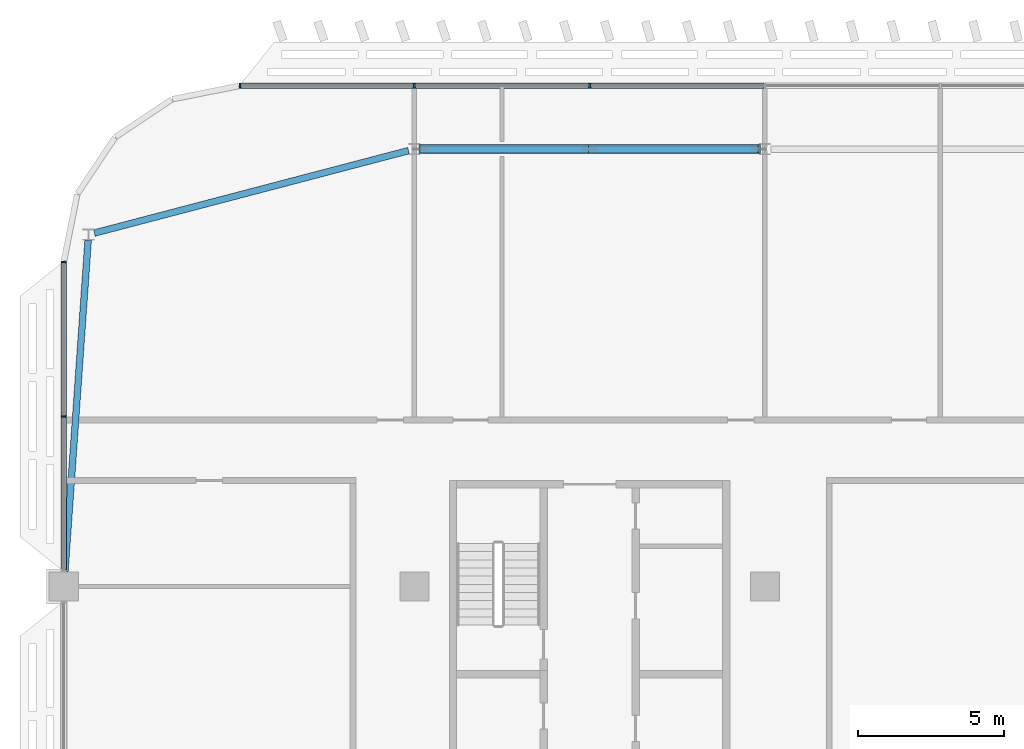
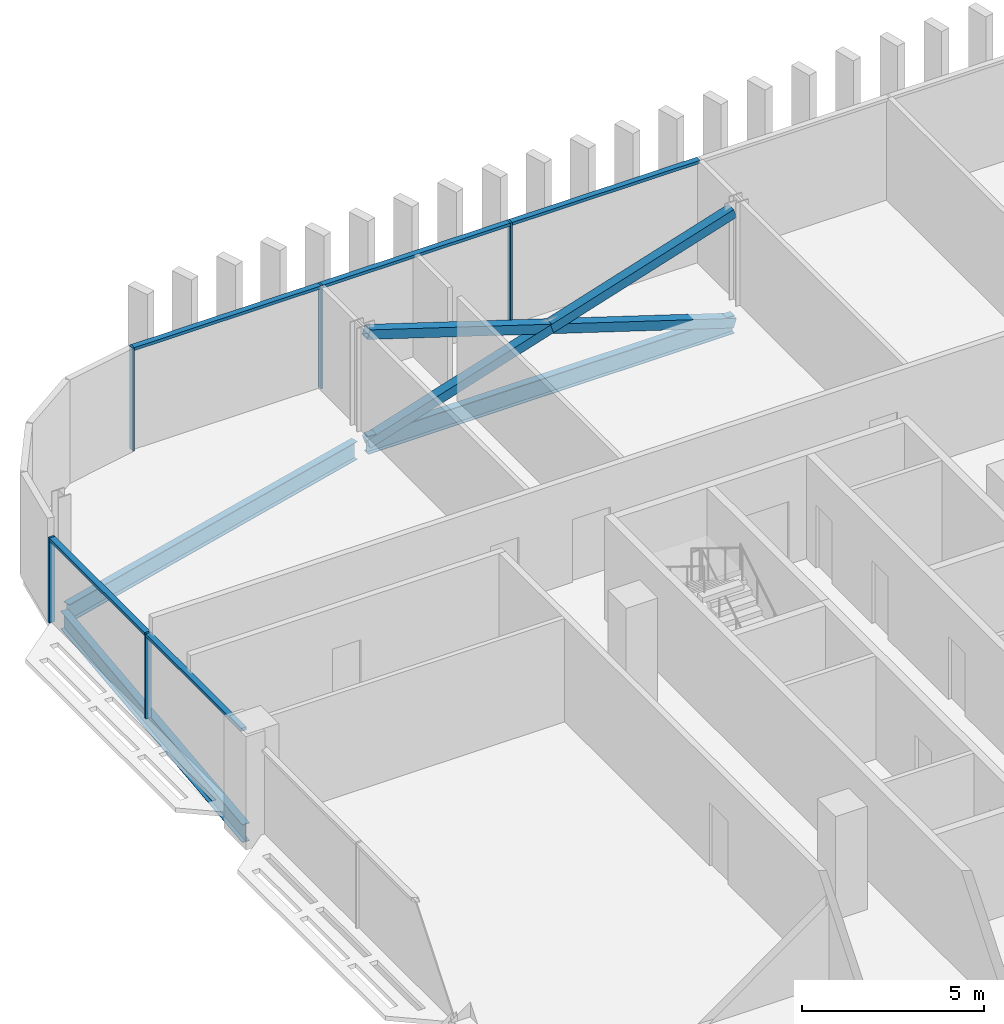
# One storey, part 9 of 32: 13 members, 3 beams, 2 elements without a shape of their own.
"""IFC4 building model written with IfcOpenShell, lengths in metres."""

from ifc_helpers import new_model, si_unit, direction, frame, origin, origin_2d, place, context, subcontext, project, spatial, rectangle, hollow_rectangle, i_section, extrude, material, material_profile, profile_set, type_object, element, aggregate, save


model = new_model("IFC4")

# Units and contexts
model_context = context("Model", 3, precision=1e-05, world=origin(), true_north=direction((0.0, 1.0)))
body_context = subcontext(model_context, "Body", "Model", "MODEL_VIEW")
ifc_project = project(units=[si_unit("LENGTHUNIT", "METRE"), si_unit("AREAUNIT", "SQUARE_METRE"), si_unit("VOLUMEUNIT", "CUBIC_METRE"), si_unit("PLANEANGLEUNIT", "RADIAN"), si_unit("MASSUNIT", "GRAM", prefix="KILO")], contexts=[model_context])

# Site, building, storey
site_placement = place(None, origin())
site = spatial("IfcSite", under=ifc_project, at=site_placement, CompositionType="ELEMENT")
building_placement = place(site_placement, origin())
building = spatial("IfcBuilding", under=site, at=building_placement, Name="Mahtab Terrace Research Tower", CompositionType="ELEMENT")
storey_placement = place(building_placement, frame((0.0, 0.0, 232.39990234375)))
storey = spatial("IfcBuildingStorey", under=building, at=storey_placement, Name="L56", CompositionType="ELEMENT", Elevation=232.39990234375)

# Members
ifc_material_1 = material(Name="Steel ASTM A500 Gr C", Category="steel")
ifc_material_profile_1 = material_profile(ifc_material_1, hollow_rectangle(XDim=0.3046875, YDim=0.3046875, WallThickness=0.015869140625, at=origin_2d()), Name="HSS12X12X5/8")
ifc_profile_set_1 = profile_set([ifc_material_profile_1], Name="Steel ASTM A500 Gr C")
member_type_1 = type_object("IfcMemberType", Name="HSS 12x12x5/8 brace XB121258", PredefinedType="BRACE", material=ifc_profile_set_1)
member_1_placement = place(storey_placement, frame((-18.199462890625, 26.472900390625, -0.580322265625), z_axis=(-0.953338568311, 0.0, 0.301903252998), x_axis=(0.0, -1.0, 0.0)))
element("IfcMember", 1, at=member_1_placement, inside=storey, type_object=member_type_1, Name="Exoskeleton brace L56 07 a", PredefinedType="BRACE", context=body_context, shape_type="SweptSolid", body=[
    extrude(hollow_rectangle(XDim=0.3046875, YDim=0.3046875, WallThickness=0.015869140625, at=origin_2d()), origin(), (0.0, 0.0, 1.0), 12.1689453125),
])
for number, where, z_axis, x_axis, name in (
    (2, (-29.800537109375, 26.472900390625, -0.580322265625), (0.953338568311, 0.0, 0.301903252998), (0.0, 1.0, 0.0), "Exoskeleton brace L56 07 b1"),
    (3, (-24.0, 26.472900390625, 1.256591796875), (0.953338568311, 0.0, 0.301903252998), (0.0, 1.0, 0.0), "Exoskeleton brace L56 07 b2"),
):
    element("IfcMember", number, at=place(storey_placement, frame(where, z_axis=z_axis, x_axis=x_axis)), inside=storey, type_object=member_type_1, Name=name, PredefinedType="BRACE", context=body_context, shape_type="SweptSolid", body=[
        extrude(hollow_rectangle(XDim=0.3046875, YDim=0.3046875, WallThickness=0.015869140625, at=origin_2d()), origin(), (0.0, 0.0, 1.0), 6.08447265625),
    ])

# Curtain wall, members
ifc_material_2 = material(Name="Office ribbon curtain wall")
curtain_wall_type = type_object("IfcCurtainWallType", Name="Office ribbon curtain wall", PredefinedType="NOTDEFINED", material=ifc_material_2)
curtain_wall_1_placement = place(storey_placement, origin())
curtain_wall_1 = element("IfcCurtainWall", 4, at=curtain_wall_1_placement, inside=storey, type_object=curtain_wall_type, Name="EN.L56.3.3", PredefinedType="NOTDEFINED")
ifc_material_3 = material(Name="Natural anodised aluminium", Category="aluminium")
ifc_material_profile_2 = material_profile(ifc_material_3, rectangle(XDim=0.179931640625, YDim=0.06005859375, at=origin_2d()), Name="MULLION 60x180")
ifc_profile_set_2 = profile_set([ifc_material_profile_2], Name="Natural anodised aluminium")
member_type_2 = type_object("IfcMemberType", Name="Office ribbon curtain wall mullion", PredefinedType="MULLION", material=ifc_profile_set_2)
member_2_placement = place(storey_placement, frame((-24.0, 28.638916015625, 0.0), z_axis=(0.0, 0.0, 1.0), x_axis=(0.0, -1.0, 0.0)))
member_2 = element("IfcMember", 5, at=member_2_placement, type_object=member_type_2, Name="CWO-7 mullion 13", PredefinedType="MULLION", context=body_context, shape_type="SweptSolid", body=[
    extrude(rectangle(XDim=0.179931640625, YDim=0.06005859375, at=origin_2d()), origin(), (0.0, 0.0, 1.0), 3.460205078125),
])
member_3_placement = place(storey_placement, frame((-30.0, 28.638916015625, 0.0), z_axis=(0.0, 0.0, 1.0), x_axis=(0.0, -1.0, 0.0)))
member_3 = element("IfcMember", 6, at=member_3_placement, type_object=member_type_2, Name="CWO-7 mullion 14", PredefinedType="MULLION", context=body_context, shape_type="SweptSolid", body=[
    extrude(rectangle(XDim=0.179931640625, YDim=0.06005859375, at=origin_2d()), origin(), (0.0, 0.0, 1.0), 3.460205078125),
])
member_4_placement = place(storey_placement, frame((-35.969970703125, 28.638916015625, 0.0), z_axis=(0.0, 0.0, 1.0), x_axis=(0.0, -1.0, 0.0)))
member_4 = element("IfcMember", 7, at=member_4_placement, type_object=member_type_2, Name="CWO-7 mullion 15", PredefinedType="MULLION", context=body_context, shape_type="SweptSolid", body=[
    extrude(rectangle(XDim=0.179931640625, YDim=0.06005859375, at=origin_2d()), origin(), (0.0, 0.0, 1.0), 3.460205078125),
])

curtain_wall_2_placement = place(storey_placement, origin())
curtain_wall_2 = element("IfcCurtainWall", 8, at=curtain_wall_2_placement, inside=storey, type_object=curtain_wall_type, Name="EN.L56.8.8", PredefinedType="NOTDEFINED")
member_5_placement = place(storey_placement, frame((-42.0, 22.60888671875, 0.0), z_axis=(0.0, 0.0, 1.0), x_axis=(1.0, 0.0, 0.0)))
member_5 = element("IfcMember", 9, at=member_5_placement, type_object=member_type_2, Name="CWO-7 mullion 1", PredefinedType="MULLION", context=body_context, shape_type="SweptSolid", body=[
    extrude(rectangle(XDim=0.179931640625, YDim=0.06005859375, at=origin_2d()), origin(), (0.0, 0.0, 1.0), 2.85302734375),
])
member_6_placement = place(storey_placement, frame((-42.0, 17.319580078125, 0.0), z_axis=(0.0, 0.0, 1.0), x_axis=(1.0, 0.0, 0.0)))
member_6 = element("IfcMember", 10, at=member_6_placement, type_object=member_type_2, Name="CWO-7 mullion 2", PredefinedType="MULLION", context=body_context, shape_type="SweptSolid", body=[
    extrude(rectangle(XDim=0.179931640625, YDim=0.06005859375, at=origin_2d()), origin(), (0.0, 0.0, 1.0), 2.85302734375),
])

# Member
ifc_material_profile_3 = material_profile(ifc_material_3, rectangle(XDim=0.179931640625, YDim=0.10009765625, at=origin_2d()), Name="TRANSOM 100x180")
ifc_profile_set_3 = profile_set([ifc_material_profile_3], Name="Natural anodised aluminium")
member_type_3 = type_object("IfcMemberType", Name="Office ribbon curtain wall transom", PredefinedType="USERDEFINED", material=ifc_profile_set_3)
member_7_placement = place(storey_placement, frame((-18.030029296875, 28.638916015625, 3.41015625), z_axis=(-1.0, 0.0, 0.0), x_axis=(0.0, -1.0, 0.0)))
member_7 = element("IfcMember", 11, at=member_7_placement, type_object=member_type_3, Name="CWO-7 transom 12", ObjectType="TRANSOM", PredefinedType="USERDEFINED", context=body_context, shape_type="SweptSolid", body=[
    extrude(rectangle(XDim=0.179931640625, YDim=0.10009765625, at=origin_2d()), origin(), (0.0, 0.0, 1.0), 5.93994140625),
])

member_8_placement = place(storey_placement, frame((-24.030029296875, 28.638916015625, 3.41015625), z_axis=(-1.0, 0.0, 0.0), x_axis=(0.0, -1.0, 0.0)))
member_8 = element("IfcMember", 12, at=member_8_placement, type_object=member_type_3, Name="CWO-7 transom 13", ObjectType="TRANSOM", PredefinedType="USERDEFINED", context=body_context, shape_type="SweptSolid", body=[
    extrude(rectangle(XDim=0.179931640625, YDim=0.10009765625, at=origin_2d()), origin(), (0.0, 0.0, 1.0), 5.93994140625),
])

member_9_placement = place(storey_placement, frame((-30.030029296875, 28.638916015625, 3.41015625), z_axis=(-1.0, 0.0, 0.0), x_axis=(0.0, -1.0, 0.0)))
member_9 = element("IfcMember", 13, at=member_9_placement, type_object=member_type_3, Name="CWO-7 transom 14", ObjectType="TRANSOM", PredefinedType="USERDEFINED", context=body_context, shape_type="SweptSolid", body=[
    extrude(rectangle(XDim=0.179931640625, YDim=0.10009765625, at=origin_2d()), origin(), (0.0, 0.0, 1.0), 5.909912109375),
])

aggregate(curtain_wall_1, [member_2, member_3, member_4, member_7, member_8, member_9])

member_10_placement = place(storey_placement, frame((-42.0, 22.5791015625, 2.802978515625), z_axis=(0.0, -1.0, 0.0), x_axis=(1.0, 0.0, 0.0)))
member_10 = element("IfcMember", 14, at=member_10_placement, type_object=member_type_3, Name="CWO-7 transom 1", ObjectType="TRANSOM", PredefinedType="USERDEFINED", context=body_context, shape_type="SweptSolid", body=[
    extrude(rectangle(XDim=0.179931640625, YDim=0.10009765625, at=origin_2d()), origin(), (0.0, 0.0, 1.0), 5.2294921875),
])

member_11_placement = place(storey_placement, frame((-42.0, 17.28955078125, 2.802978515625), z_axis=(0.0, -1.0, 0.0), x_axis=(1.0, 0.0, 0.0)))
member_11 = element("IfcMember", 15, at=member_11_placement, type_object=member_type_3, Name="CWO-7 transom 2", ObjectType="TRANSOM", PredefinedType="USERDEFINED", context=body_context, shape_type="SweptSolid", body=[
    extrude(rectangle(XDim=0.179931640625, YDim=0.10009765625, at=origin_2d()), origin(), (0.0, 0.0, 1.0), 5.2294921875),
])

aggregate(curtain_wall_2, [member_5, member_6, member_10, member_11])

# Beams
ifc_material_4 = material(Name="Steel ASTM A992 Gr 50", Category="steel")
ifc_material_profile_4 = material_profile(ifc_material_4, i_section(OverallWidth=0.228271484375, OverallDepth=0.607177734375, WebThickness=0.01123046875, FlangeThickness=0.017333984375, at=origin_2d()), Name="W24X76")
ifc_profile_set_4 = profile_set([ifc_material_profile_4], Name="Steel ASTM A992 Gr 50")
beam_type = type_object("IfcBeamType", Name="W24x76 beam BS2476", PredefinedType="BEAM", material=ifc_profile_set_4)
beam_1_placement = place(storey_placement, frame((-18.199462890625, 26.472900390625, -0.6435546875), z_axis=(-1.0, 0.0, 0.0), x_axis=(0.0, -1.0, 0.0)))
element("IfcBeam", 16, at=beam_1_placement, inside=storey, type_object=beam_type, Name="Spandrel beam L56 07", PredefinedType="BEAM", context=body_context, shape_type="SweptSolid", body=[
    extrude(i_section(OverallWidth=0.228271484375, OverallDepth=0.607177734375, WebThickness=0.01123046875, FlangeThickness=0.017333984375, at=origin_2d()), origin(), (0.0, 0.0, 1.0), 11.60107421875),
])
beam_2_placement = place(storey_placement, frame((-30.199462890625, 26.420654296875, -0.6435546875), z_axis=(-0.967252058434, -0.253817760323, 0.0), x_axis=(0.253817760323, -0.967252058434, 0.0)))
element("IfcBeam", 17, at=beam_2_placement, inside=storey, type_object=beam_type, Name="Spandrel beam L56 08", PredefinedType="BEAM", context=body_context, shape_type="SweptSolid", body=[
    extrude(i_section(OverallWidth=0.228271484375, OverallDepth=0.607177734375, WebThickness=0.01123046875, FlangeThickness=0.017333984375, at=origin_2d()), origin(), (0.0, 0.0, 1.0), 11.119140625),
])
beam_3_placement = place(storey_placement, frame((-41.16748046875, 23.35302734375, -0.6435546875), z_axis=(-0.070060954326, -0.997542712208, 0.0), x_axis=(0.997542712208, -0.070060954326, 0.0)))
element("IfcBeam", 18, at=beam_3_placement, inside=storey, type_object=beam_type, Name="Spandrel beam L56 09", PredefinedType="BEAM", context=body_context, shape_type="SweptSolid", body=[
    extrude(i_section(OverallWidth=0.228271484375, OverallDepth=0.607177734375, WebThickness=0.01123046875, FlangeThickness=0.017333984375, at=origin_2d()), origin(), (0.0, 0.0, 1.0), 11.381103515625),
])

save(model, "model.ifc")
